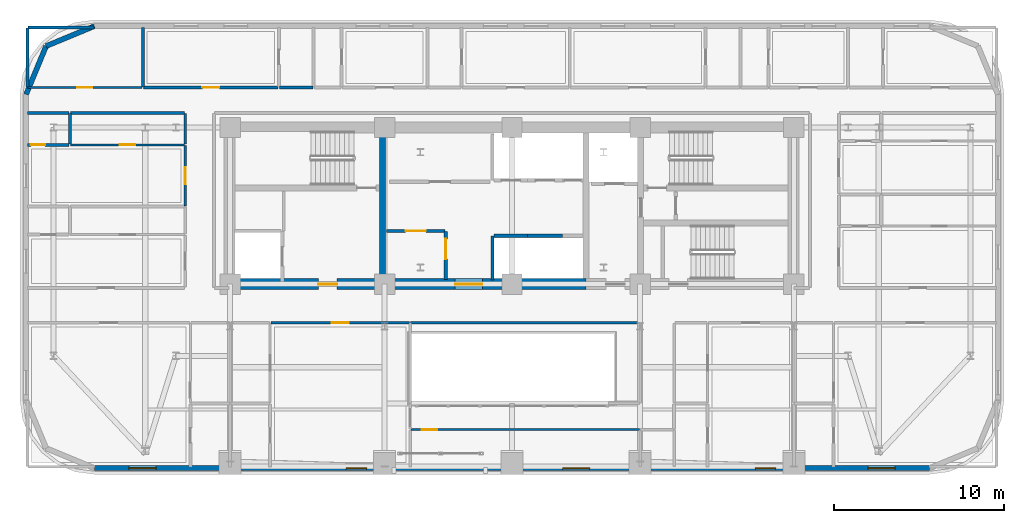
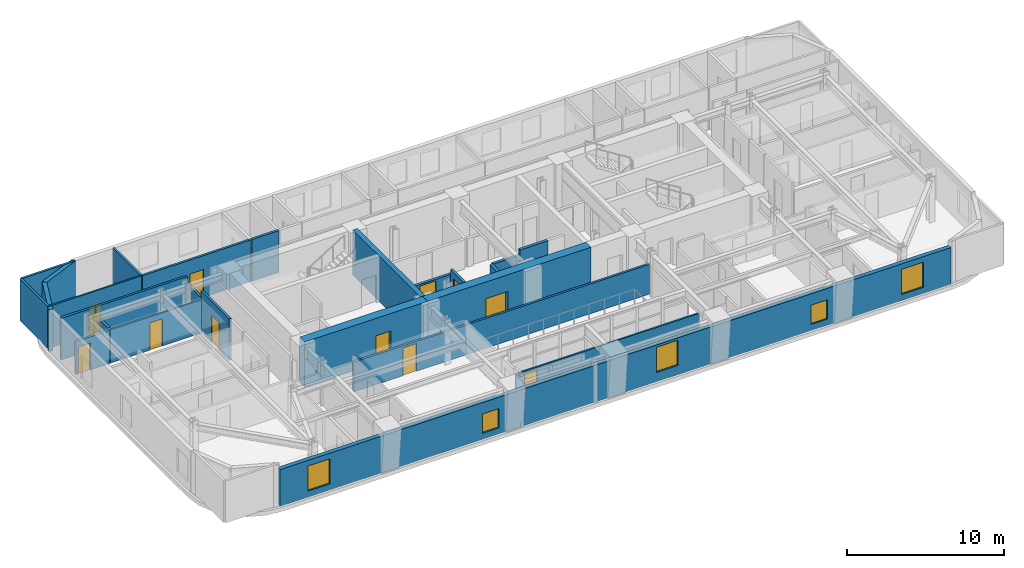
# One storey, part 9 of 16: 27 walls, 11 doors, 5 windows, 16 openings.
"""IFC4 building model written with IfcOpenShell, lengths in metres."""

from ifc_helpers import new_model, si_unit, direction, frame, frame_2d, origin, place, context, subcontext, project, spatial, rectangle, extrude, material, layer, layer_set, type_object, element, fill, save


model = new_model("IFC4")

# Units and contexts
model_context = context("Model", 3, precision=1e-05, world=origin(), true_north=direction((0.0, 1.0)))
body_context = subcontext(model_context, "Body", "Model", "MODEL_VIEW")
ifc_project = project(units=[si_unit("LENGTHUNIT", "METRE"), si_unit("AREAUNIT", "SQUARE_METRE"), si_unit("VOLUMEUNIT", "CUBIC_METRE"), si_unit("PLANEANGLEUNIT", "RADIAN"), si_unit("MASSUNIT", "GRAM", prefix="KILO")], contexts=[model_context])

# Site, building, storey
site_placement = place(None, origin())
site = spatial("IfcSite", under=ifc_project, at=site_placement, CompositionType="ELEMENT")
building_placement = place(site_placement, origin())
building = spatial("IfcBuilding", under=site, at=building_placement, Name="Zarnavel Station Tower", CompositionType="ELEMENT")
storey_placement = place(building_placement, frame((0.0, 0.0, 97.800048828125)))
storey = spatial("IfcBuildingStorey", under=building, at=storey_placement, Name="L26", CompositionType="ELEMENT", Elevation=97.800048828125)

# Wall
ifc_material_1 = material(Name="Concrete C50/60", Category="concrete")
ifc_layer_1 = layer(ifc_material_1, 0.35009765625)
ifc_layer_set_1 = layer_set([ifc_layer_1], Name="CW_350")
wall_type_1 = type_object("IfcWallType", Name="CW_350", PredefinedType="SHEAR", material=ifc_layer_set_1)
wall_1_placement = place(storey_placement, frame((21.179931640625, 28.14501953125, 0.0), z_axis=(0.0, 0.0, 1.0), x_axis=(0.0, 1.0, 0.0)))
element("IfcWall", 1, at=wall_1_placement, inside=storey, type_object=wall_type_1, Name="L26 Rear Core Shear Wall DIV-W", PredefinedType="SHEAR", context=body_context, shape_type="SweptSolid", body=[
    extrude(rectangle(XDim=8.580078125, YDim=0.35009765625, at=frame_2d((4.2900390625, 0.0))), origin(), (0.0, 0.0, 1.0), 3.5),
])

# Wall, opening, door
ifc_material_2 = material(Name="Concrete C60/75", Category="concrete")
ifc_layer_2 = layer(ifc_material_2, 0.64990234375)
ifc_layer_set_2 = layer_set([ifc_layer_2], Name="CW_650")
wall_type_2 = type_object("IfcWallType", Name="CW_650", PredefinedType="SHEAR", material=ifc_layer_set_2)
wall_2_placement = place(storey_placement, frame((21.179931640625, 27.820068359375, 0.0), z_axis=(0.0, 0.0, 1.0), x_axis=(-1.0, 0.0, 0.0)))
wall_2 = element("IfcWall", 2, at=wall_2_placement, inside=storey, type_object=wall_type_2, Name="L26 Rear Core Shear Wall S-W", PredefinedType="SHEAR", context=body_context, shape_type="SweptSolid", body=[
    extrude(rectangle(XDim=9.030029296875, YDim=0.64990234375, at=frame_2d((4.51513671875, 0.0))), origin(), (0.0, 0.0, 1.0), 3.5),
])
opening_1_placement = place(wall_2_placement, frame((2.679931640625, 0.0, 0.0)))
opening_1 = element("IfcOpeningElement", 3, at=opening_1_placement, cuts=wall_2, Name="Opening FD01", PredefinedType="OPENING", context=body_context, shape_type="SweptSolid", body=[
    extrude(rectangle(XDim=1.10009765625, YDim=2.14990234375, at=frame_2d((0.550048828125, 1.074951171875))), frame((0.0, 0.3349609375, 0.0), z_axis=(0.0, -1.0, 0.0), x_axis=(1.0, 0.0, 0.0)), (0.0, 0.0, 1.0), 0.669921875),
])
ifc_material_3 = material(Name="Painted Galvanised Steel and Hardwood Leaf", Category="steel")
door_type_1 = type_object("IfcDoorType", Name="ID_STAIR_1100", OperationType="NOTDEFINED", PredefinedType="DOOR", material=ifc_material_3)
door_1_placement = place(opening_1_placement, origin())
door_1 = element("IfcDoor", 4, at=door_1_placement, inside=storey, type_object=door_type_1, Name="L26 West Firefighting Lobby Door", OperationType="SINGLE_SWING_RIGHT", OverallHeight=2.14990234375, OverallWidth=1.10009765625, PredefinedType="DOOR", context=body_context, shape_type="SweptSolid", body=[
    extrude(rectangle(XDim=1.10009765625, YDim=2.14990234375, at=frame_2d((0.550048828125, 1.074951171875))), frame((0.0, 0.02490234375, 0.0), z_axis=(0.0, -1.0, 0.0), x_axis=(1.0, 0.0, 0.0)), (0.0, 0.0, 1.0), 0.050048828125),
])
fill(opening_1, door_1)

wall_3_placement = place(storey_placement, frame((33.14990234375, 27.820068359375, 0.0), z_axis=(0.0, 0.0, 1.0), x_axis=(-1.0, 0.0, 0.0)))
wall_3 = element("IfcWall", 5, at=wall_3_placement, inside=storey, type_object=wall_type_2, Name="L26 Rear Core Shear Wall S-M", PredefinedType="SHEAR", context=body_context, shape_type="SweptSolid", body=[
    extrude(rectangle(XDim=11.969970703125, YDim=0.64990234375, at=frame_2d((5.98486328125, 0.0))), origin(), (0.0, 0.0, 1.0), 3.5),
])
opening_2_placement = place(wall_3_placement, frame((6.10009765625, 0.0, 0.0)))
opening_2 = element("IfcOpeningElement", 6, at=opening_2_placement, cuts=wall_3, Name="Opening ID03", PredefinedType="OPENING", context=body_context, shape_type="SweptSolid", body=[
    extrude(rectangle(XDim=1.60009765625, YDim=2.199951171875, at=frame_2d((0.800048828125, 1.10009765625))), frame((0.0, 0.3349609375, 0.0), z_axis=(0.0, -1.0, 0.0), x_axis=(1.0, 0.0, 0.0)), (0.0, 0.0, 1.0), 0.669921875),
])
ifc_material_4 = material(Name="Painted Galvanised Steel and Hardwood Leaf", Category="steel")
door_type_2 = type_object("IfcDoorType", Name="ID_PUBLIC_1600", OperationType="DOUBLE_DOOR_SINGLE_SWING", PredefinedType="DOOR", material=ifc_material_4)
door_2_placement = place(opening_2_placement, origin())
door_2 = element("IfcDoor", 7, at=door_2_placement, inside=storey, type_object=door_type_2, Name="L26 Passenger Lift Lobby Double Door", OperationType="SINGLE_SWING_LEFT", OverallHeight=2.199951171875, OverallWidth=1.60009765625, PredefinedType="DOOR", context=body_context, shape_type="SweptSolid", body=[
    extrude(rectangle(XDim=1.60009765625, YDim=2.199951171875, at=frame_2d((0.800048828125, 1.10009765625))), frame((0.0, 0.02490234375, 0.0), z_axis=(0.0, -1.0, 0.0), x_axis=(1.0, 0.0, 0.0)), (0.0, 0.0, 1.0), 0.050048828125),
])
fill(opening_2, door_2)

# Walls
ifc_material_5 = material(Name="Precast concrete C45/55 (Dark Basalt Finish)", Category="masonry")
ifc_layer_3 = layer(ifc_material_5, 0.300048828125)
ifc_layer_set_3 = layer_set([ifc_layer_3], Name="EW_BASALT_300")
wall_type_3 = type_object("IfcWallType", Name="EW_BASALT_300", PredefinedType="SOLIDWALL", material=ifc_layer_set_3)
for number, where, z_axis, x_axis, name in (
    (8, (1.357421875, 41.842529296875, 0.0), (0.0, 0.0, 1.0), (0.923870793506, 0.382704529509, 0.0), "L26 Exterior Basalt Masonry Frame Wall 07"),
    (9, (0.179931640625, 39.0, 0.0), (0.0, 0.0, 1.0), (0.382704529509, 0.923870793506, 0.0), "L26 Exterior Basalt Masonry Frame Wall 08"),
):
    element("IfcWall", number, at=place(storey_placement, frame(where, z_axis=z_axis, x_axis=x_axis)), inside=storey, type_object=wall_type_3, Name=name, PredefinedType="SOLIDWALL", context=body_context, shape_type="SweptSolid", body=[
        extrude(rectangle(XDim=3.07666015625, YDim=0.300048828125, at=frame_2d((1.538330078125, 0.0))), origin(), (0.0, 0.0, 1.0), 3.239990234375),
    ])

# Wall, openings, windows
wall_4_placement = place(storey_placement, frame((53.39990234375, 16.97998046875, 0.0), z_axis=(0.0, 0.0, 1.0), x_axis=(-1.0, 0.0, 0.0)))
wall_4 = element("IfcWall", 10, at=wall_4_placement, inside=storey, type_object=wall_type_3, Name="L26 Exterior Basalt Masonry Frame Wall 12", PredefinedType="SOLIDWALL", context=body_context, shape_type="SweptSolid", body=[
    extrude(rectangle(XDim=49.199951171875, YDim=0.300048828125, at=frame_2d((24.60009765625, 0.0))), origin(), (0.0, 0.0, 1.0), 2.85986328125),
])
opening_3_placement = place(wall_4_placement, frame((45.56494140625, 0.0, 0.47998046875)))
opening_3 = element("IfcOpeningElement", 11, at=opening_3_placement, cuts=wall_4, Name="Opening WN06", PredefinedType="OPENING", context=body_context, shape_type="SweptSolid", body=[
    extrude(rectangle(XDim=1.60009765625, YDim=1.949951171875, at=frame_2d((0.800048828125, 0.97509765625))), frame((0.0, 0.159912109375, 0.0), z_axis=(0.0, -1.0, 0.0), x_axis=(1.0, 0.0, 0.0)), (0.0, 0.0, 1.0), 0.320068359375),
])
opening_4_placement = place(wall_4_placement, frame((33.1650390625, 0.0, 0.47998046875)))
opening_4 = element("IfcOpeningElement", 12, at=opening_4_placement, cuts=wall_4, Name="Opening WN08", PredefinedType="OPENING", context=body_context, shape_type="SweptSolid", body=[
    extrude(rectangle(XDim=1.199951171875, YDim=1.5, at=frame_2d((0.60009765625, 0.75))), frame((0.0, 0.159912109375, 0.0), z_axis=(0.0, -1.0, 0.0), x_axis=(1.0, 0.0, 0.0)), (0.0, 0.0, 1.0), 0.320068359375),
])
opening_5_placement = place(wall_4_placement, frame((20.02490234375, 0.0, 0.72998046875)))
opening_5 = element("IfcOpeningElement", 13, at=opening_5_placement, cuts=wall_4, Name="Opening WN06", PredefinedType="OPENING", context=body_context, shape_type="SweptSolid", body=[
    extrude(rectangle(XDim=1.60009765625, YDim=1.949951171875, at=frame_2d((0.800048828125, 0.97509765625))), frame((0.0, 0.159912109375, 0.0), z_axis=(0.0, -1.0, 0.0), x_axis=(1.0, 0.0, 0.0)), (0.0, 0.0, 1.0), 0.320068359375),
])
opening_6_placement = place(wall_4_placement, frame((9.06494140625, 0.0, 0.47998046875)))
opening_6 = element("IfcOpeningElement", 14, at=opening_6_placement, cuts=wall_4, Name="Opening WN08", PredefinedType="OPENING", context=body_context, shape_type="SweptSolid", body=[
    extrude(rectangle(XDim=1.199951171875, YDim=1.5, at=frame_2d((0.60009765625, 0.75))), frame((0.0, 0.159912109375, 0.0), z_axis=(0.0, -1.0, 0.0), x_axis=(1.0, 0.0, 0.0)), (0.0, 0.0, 1.0), 0.320068359375),
])
opening_7_placement = place(wall_4_placement, frame((2.034912109375, 0.0, 0.47998046875)))
opening_7 = element("IfcOpeningElement", 15, at=opening_7_placement, cuts=wall_4, Name="Opening WN06", PredefinedType="OPENING", context=body_context, shape_type="SweptSolid", body=[
    extrude(rectangle(XDim=1.60009765625, YDim=1.949951171875, at=frame_2d((0.800048828125, 0.97509765625))), frame((0.0, 0.159912109375, 0.0), z_axis=(0.0, -1.0, 0.0), x_axis=(1.0, 0.0, 0.0)), (0.0, 0.0, 1.0), 0.320068359375),
])
ifc_material_6 = material(Name="Thermally Broken Black Aluminium and Low-E Dark Glass", Category="aluminium")
window_type_1 = type_object("IfcWindowType", Name="WN_1200x1500", PartitioningType="SINGLE_PANEL", PredefinedType="WINDOW", material=ifc_material_6)
window_1_placement = place(opening_4_placement, origin())
window_1 = element("IfcWindow", 16, at=window_1_placement, inside=storey, type_object=window_type_1, Name="L26 Recessed Facade Window 02", OverallHeight=1.5, OverallWidth=1.199951171875, PartitioningType="SINGLE_PANEL", PredefinedType="WINDOW", context=body_context, shape_type="SweptSolid", body=[
    extrude(rectangle(XDim=1.199951171875, YDim=1.5, at=frame_2d((0.60009765625, 0.75))), frame((0.0, 0.030029296875, 0.0), z_axis=(0.0, -1.0, 0.0), x_axis=(1.0, 0.0, 0.0)), (0.0, 0.0, 1.0), 0.06005859375),
])
fill(opening_4, window_1)
window_2_placement = place(opening_6_placement, origin())
window_2 = element("IfcWindow", 17, at=window_2_placement, inside=storey, type_object=window_type_1, Name="L26 Recessed Facade Window 04", OverallHeight=1.5, OverallWidth=1.199951171875, PartitioningType="SINGLE_PANEL", PredefinedType="WINDOW", context=body_context, shape_type="SweptSolid", body=[
    extrude(rectangle(XDim=1.199951171875, YDim=1.5, at=frame_2d((0.60009765625, 0.75))), frame((0.0, 0.030029296875, 0.0), z_axis=(0.0, -1.0, 0.0), x_axis=(1.0, 0.0, 0.0)), (0.0, 0.0, 1.0), 0.06005859375),
])
fill(opening_6, window_2)
ifc_material_7 = material(Name="Thermally Broken Black Aluminium and Low-E Dark Glass", Category="aluminium")
window_type_2 = type_object("IfcWindowType", Name="WN_1600x1950", PartitioningType="DOUBLE_PANEL_VERTICAL", PredefinedType="WINDOW", material=ifc_material_7)
window_3_placement = place(opening_3_placement, origin())
window_3 = element("IfcWindow", 18, at=window_3_placement, inside=storey, type_object=window_type_2, Name="L26 Recessed Facade Window 01", OverallHeight=1.949951171875, OverallWidth=1.60009765625, PartitioningType="SINGLE_PANEL", PredefinedType="WINDOW", context=body_context, shape_type="SweptSolid", body=[
    extrude(rectangle(XDim=1.60009765625, YDim=1.949951171875, at=frame_2d((0.800048828125, 0.97509765625))), frame((0.0, 0.030029296875, 0.0), z_axis=(0.0, -1.0, 0.0), x_axis=(1.0, 0.0, 0.0)), (0.0, 0.0, 1.0), 0.06005859375),
])
fill(opening_3, window_3)
window_4_placement = place(opening_5_placement, origin())
window_4 = element("IfcWindow", 19, at=window_4_placement, inside=storey, type_object=window_type_2, Name="L26 Recessed Facade Window 03", OverallHeight=1.949951171875, OverallWidth=1.60009765625, PartitioningType="SINGLE_PANEL", PredefinedType="WINDOW", context=body_context, shape_type="SweptSolid", body=[
    extrude(rectangle(XDim=1.60009765625, YDim=1.949951171875, at=frame_2d((0.800048828125, 0.97509765625))), frame((0.0, 0.030029296875, 0.0), z_axis=(0.0, -1.0, 0.0), x_axis=(1.0, 0.0, 0.0)), (0.0, 0.0, 1.0), 0.06005859375),
])
fill(opening_5, window_4)
window_5_placement = place(opening_7_placement, origin())
window_5 = element("IfcWindow", 20, at=window_5_placement, inside=storey, type_object=window_type_2, Name="L26 Recessed Facade Window 05", OverallHeight=1.949951171875, OverallWidth=1.60009765625, PartitioningType="SINGLE_PANEL", PredefinedType="WINDOW", context=body_context, shape_type="SweptSolid", body=[
    extrude(rectangle(XDim=1.60009765625, YDim=1.949951171875, at=frame_2d((0.800048828125, 0.97509765625))), frame((0.0, 0.030029296875, 0.0), z_axis=(0.0, -1.0, 0.0), x_axis=(1.0, 0.0, 0.0)), (0.0, 0.0, 1.0), 0.06005859375),
])
fill(opening_7, window_5)

# Wall, opening, door
ifc_material_8 = material(Name="Gypsum Twin-Stud Acoustic Fire Partition", Category="concrete")
ifc_layer_4 = layer(ifc_material_8, 0.159912109375)
ifc_layer_set_4 = layer_set([ifc_layer_4], Name="PT_DEMISE_160")
wall_type_4 = type_object("IfcWallType", Name="PT_DEMISE_160", PredefinedType="PARTITIONING", material=ifc_layer_set_4)
wall_5_placement = place(storey_placement, frame((14.590087890625, 25.550048828125, 0.0), z_axis=(0.0, 0.0, 1.0), x_axis=(1.0, 0.0, 0.0)))
wall_5 = element("IfcWall", 21, at=wall_5_placement, inside=storey, type_object=wall_type_4, Name="L26 Partition COR-S-HW2R", PredefinedType="PARTITIONING", context=body_context, shape_type="SweptSolid", body=[
    extrude(rectangle(XDim=8.169921875, YDim=0.159912109375, at=frame_2d((4.0849609375, 0.0))), origin(), (0.0, 0.0, 1.0), 2.31005859375),
])
opening_8_placement = place(wall_5_placement, frame((3.5849609375, 0.0, 0.0)))
opening_8 = element("IfcOpeningElement", 22, at=opening_8_placement, cuts=wall_5, Name="Opening FD02", PredefinedType="OPENING", context=body_context, shape_type="SweptSolid", body=[
    extrude(rectangle(XDim=1.0, YDim=2.14990234375, at=frame_2d((0.5, 1.074951171875))), frame((0.0, 0.08984375, 0.0), z_axis=(0.0, -1.0, 0.0), x_axis=(1.0, 0.0, 0.0)), (0.0, 0.0, 1.0), 0.179931640625),
])
ifc_material_9 = material(Name="Painted Galvanised Steel and Hardwood Leaf", Category="steel")
door_type_3 = type_object("IfcDoorType", Name="ID_ENTRY_1000", OperationType="NOTDEFINED", PredefinedType="DOOR", material=ifc_material_9)
door_3_placement = place(opening_8_placement, origin())
door_3 = element("IfcDoor", 23, at=door_3_placement, inside=storey, type_object=door_type_3, Name="L26 Door COR-S-HW2R", OperationType="SINGLE_SWING_LEFT", OverallHeight=2.14990234375, OverallWidth=1.0, PredefinedType="DOOR", context=body_context, shape_type="SweptSolid", body=[
    extrude(rectangle(XDim=1.0, YDim=2.14990234375, at=frame_2d((0.5, 1.074951171875))), frame((0.0, 0.02490234375, 0.0), z_axis=(0.0, -1.0, 0.0), x_axis=(1.0, 0.0, 0.0)), (0.0, 0.0, 1.0), 0.050048828125),
])
fill(opening_8, door_3)

wall_6_placement = place(storey_placement, frame((9.550048828125, 32.430908203125, 0.0), z_axis=(0.0, 0.0, 1.0), x_axis=(0.0, 1.0, 0.0)))
wall_6 = element("IfcWall", 24, at=wall_6_placement, inside=storey, type_object=wall_type_4, Name="L26 Partition COR-W-FNW2R", PredefinedType="PARTITIONING", context=body_context, shape_type="SweptSolid", body=[
    extrude(rectangle(XDim=3.55615234375, YDim=0.159912109375, at=frame_2d((1.778076171875, 0.0))), origin(), (0.0, 0.0, 1.0), 3.239990234375),
])
opening_9_placement = place(wall_6_placement, frame((1.278076171875, 0.0, 0.0)))
opening_9 = element("IfcOpeningElement", 25, at=opening_9_placement, cuts=wall_6, Name="Opening FD02", PredefinedType="OPENING", context=body_context, shape_type="SweptSolid", body=[
    extrude(rectangle(XDim=1.0, YDim=2.14990234375, at=frame_2d((0.5, 1.074951171875))), frame((0.0, 0.08984375, 0.0), z_axis=(0.0, -1.0, 0.0), x_axis=(1.0, 0.0, 0.0)), (0.0, 0.0, 1.0), 0.179931640625),
])
door_4_placement = place(opening_9_placement, origin())
door_4 = element("IfcDoor", 26, at=door_4_placement, inside=storey, type_object=door_type_3, Name="L26 Door COR-W-FNW2R", OperationType="SINGLE_SWING_LEFT", OverallHeight=2.14990234375, OverallWidth=1.0, PredefinedType="DOOR", context=body_context, shape_type="SweptSolid", body=[
    extrude(rectangle(XDim=1.0, YDim=2.14990234375, at=frame_2d((0.5, 1.074951171875))), frame((0.0, 0.02490234375, 0.0), z_axis=(0.0, -1.0, 0.0), x_axis=(1.0, 0.0, 0.0)), (0.0, 0.0, 1.0), 0.050048828125),
])
fill(opening_9, door_4)

# Walls
wall_7_placement = place(storey_placement, frame((9.550048828125, 36.06689453125, 0.0), z_axis=(0.0, 0.0, 1.0), x_axis=(0.0, 1.0, 0.0)))
element("IfcWall", 27, at=wall_7_placement, inside=storey, type_object=wall_type_4, Name="L26 Partition COR-W-FNW2S", PredefinedType="PARTITIONING", context=body_context, shape_type="SweptSolid", body=[
    extrude(rectangle(XDim=1.793212890625, YDim=0.159912109375, at=frame_2d((0.896484375, 0.0))), origin(), (0.0, 0.0, 1.0), 2.719970703125),
])
wall_8_placement = place(storey_placement, frame((2.800048828125, 37.89990234375, 0.0), z_axis=(0.0, 0.0, 1.0), x_axis=(1.0, 0.0, 0.0)))
element("IfcWall", 28, at=wall_8_placement, inside=storey, type_object=wall_type_4, Name="L26 Partition COR-N-FNW2S", PredefinedType="PARTITIONING", context=body_context, shape_type="SweptSolid", body=[
    extrude(rectangle(XDim=6.7099609375, YDim=0.159912109375, at=frame_2d((3.35498046875, 0.0))), origin(), (0.0, 0.0, 1.0), 3.239990234375),
])

# Wall, opening, door
wall_9_placement = place(storey_placement, frame((7.10009765625, 39.39990234375, 0.0), z_axis=(0.0, 0.0, 1.0), x_axis=(1.0, 0.0, 0.0)))
wall_9 = element("IfcWall", 29, at=wall_9_placement, inside=storey, type_object=wall_type_4, Name="L26 Partition COR-N-HN1R", PredefinedType="PARTITIONING", context=body_context, shape_type="SweptSolid", body=[
    extrude(rectangle(XDim=7.92578125, YDim=0.159912109375, at=frame_2d((3.962890625, 0.0))), origin(), (0.0, 0.0, 1.0), 3.239990234375),
])
opening_10_placement = place(wall_9_placement, frame((3.462890625, 0.0, 0.0)))
opening_10 = element("IfcOpeningElement", 30, at=opening_10_placement, cuts=wall_9, Name="Opening FD02", PredefinedType="OPENING", context=body_context, shape_type="SweptSolid", body=[
    extrude(rectangle(XDim=1.0, YDim=2.14990234375, at=frame_2d((0.5, 1.074951171875))), frame((0.0, 0.08984375, 0.0), z_axis=(0.0, -1.0, 0.0), x_axis=(1.0, 0.0, 0.0)), (0.0, 0.0, 1.0), 0.179931640625),
])
door_5_placement = place(opening_10_placement, origin())
door_5 = element("IfcDoor", 31, at=door_5_placement, inside=storey, type_object=door_type_3, Name="L26 Door COR-N-HN1R", OperationType="SINGLE_SWING_LEFT", OverallHeight=2.14990234375, OverallWidth=1.0, PredefinedType="DOOR", context=body_context, shape_type="SweptSolid", body=[
    extrude(rectangle(XDim=1.0, YDim=2.14990234375, at=frame_2d((0.5, 1.074951171875))), frame((0.0, 0.02490234375, 0.0), z_axis=(0.0, -1.0, 0.0), x_axis=(1.0, 0.0, 0.0)), (0.0, 0.0, 1.0), 0.050048828125),
])
fill(opening_10, door_5)

# Walls
wall_10_placement = place(storey_placement, frame((7.06005859375, 39.43994140625, 0.0), z_axis=(0.0, 0.0, 1.0), x_axis=(0.0, 1.0, 0.0)))
element("IfcWall", 32, at=wall_10_placement, inside=storey, type_object=wall_type_4, Name="L26 Partition HSKP-HN1R", PredefinedType="PARTITIONING", context=body_context, shape_type="SweptSolid", body=[
    extrude(rectangle(XDim=3.5, YDim=0.159912109375, at=frame_2d((1.75, 0.0))), origin(), (0.0, 0.0, 1.0), 3.239990234375),
])
wall_11_placement = place(storey_placement, frame((22.830078125, 25.550048828125, 0.0), z_axis=(0.0, 0.0, 1.0), x_axis=(1.0, 0.0, 0.0)))
element("IfcWall", 33, at=wall_11_placement, inside=storey, type_object=wall_type_4, Name="L26 Enclosure Wall COR-S", PredefinedType="PARTITIONING", context=body_context, shape_type="SweptSolid", body=[
    extrude(rectangle(XDim=13.489990234375, YDim=0.159912109375, at=frame_2d((6.7451171875, 0.0))), origin(), (0.0, 0.0, 1.0), 2.31005859375),
])
wall_12_placement = place(storey_placement, frame((0.2900390625, 42.93994140625, 0.0), z_axis=(0.0, 0.0, 1.0), x_axis=(1.0, 0.0, 0.0)))
element("IfcWall", 34, at=wall_12_placement, inside=storey, type_object=wall_type_4, Name="L26 Enclosure Wall HSKP", PredefinedType="PARTITIONING", context=body_context, shape_type="SweptSolid", body=[
    extrude(rectangle(XDim=3.8798828125, YDim=0.159912109375, at=frame_2d((1.93994140625, 0.0))), origin(), (0.0, 0.0, 1.0), 3.239990234375),
])
wall_13_placement = place(storey_placement, frame((0.260009765625, 39.429931640625, 0.0), z_axis=(0.0, 0.0, 1.0), x_axis=(0.0, 1.0, 0.0)))
element("IfcWall", 35, at=wall_13_placement, inside=storey, type_object=wall_type_4, Name="L26 Enclosure Wall HSKP", PredefinedType="PARTITIONING", context=body_context, shape_type="SweptSolid", body=[
    extrude(rectangle(XDim=3.47998046875, YDim=0.159912109375, at=frame_2d((1.739990234375, 0.0))), origin(), (0.0, 0.0, 1.0), 3.239990234375),
])

# Wall, opening, door
ifc_material_10 = material(Name="Gypsum Metal-Stud Interior Partition", Category="concrete")
ifc_layer_5 = layer(ifc_material_10, 0.1201171875)
ifc_layer_set_5 = layer_set([ifc_layer_5], Name="PT_ROOM_120")
wall_type_5 = type_object("IfcWallType", Name="PT_ROOM_120", PredefinedType="PARTITIONING", material=ifc_layer_set_5)
wall_14_placement = place(storey_placement, frame((0.260009765625, 39.39990234375, 0.0), z_axis=(0.0, 0.0, 1.0), x_axis=(1.0, 0.0, 0.0)))
wall_14 = element("IfcWall", 36, at=wall_14_placement, inside=storey, type_object=wall_type_5, Name="L26 Partition COR-N-HSKP", PredefinedType="PARTITIONING", context=body_context, shape_type="SweptSolid", body=[
    extrude(rectangle(XDim=6.760009765625, YDim=0.1201171875, at=frame_2d((3.3798828125, 0.0))), origin(), (0.0, 0.0, 1.0), 3.239990234375),
])
opening_11_placement = place(wall_14_placement, frame((2.929931640625, 0.0, 0.0)))
opening_11 = element("IfcOpeningElement", 37, at=opening_11_placement, cuts=wall_14, Name="Opening ID01", PredefinedType="OPENING", context=body_context, shape_type="SweptSolid", body=[
    extrude(rectangle(XDim=0.89990234375, YDim=2.10009765625, at=frame_2d((0.449951171875, 1.050048828125))), frame((0.0, 0.070068359375, 0.0), z_axis=(0.0, -1.0, 0.0), x_axis=(1.0, 0.0, 0.0)), (0.0, 0.0, 1.0), 0.14013671875),
])
ifc_material_11 = material(Name="Painted Galvanised Steel and Hardwood Leaf", Category="steel")
door_type_4 = type_object("IfcDoorType", Name="ID_ROOM_900", OperationType="NOTDEFINED", PredefinedType="DOOR", material=ifc_material_11)
door_6_placement = place(opening_11_placement, origin())
door_6 = element("IfcDoor", 38, at=door_6_placement, inside=storey, type_object=door_type_4, Name="L26 Door COR-N-HSKP", OperationType="SINGLE_SWING_RIGHT", OverallHeight=2.10009765625, OverallWidth=0.89990234375, PredefinedType="DOOR", context=body_context, shape_type="SweptSolid", body=[
    extrude(rectangle(XDim=0.89990234375, YDim=2.10009765625, at=frame_2d((0.449951171875, 1.050048828125))), frame((0.0, 0.02490234375, 0.0), z_axis=(0.0, -1.0, 0.0), x_axis=(1.0, 0.0, 0.0)), (0.0, 0.0, 1.0), 0.050048828125),
])
fill(opening_11, door_6)

wall_15_placement = place(storey_placement, frame((22.840087890625, 19.25, 0.0), z_axis=(0.0, 0.0, 1.0), x_axis=(1.0, 0.0, 0.0)))
wall_15 = element("IfcWall", 39, at=wall_15_placement, inside=storey, type_object=wall_type_5, Name="L26 Partition COR-AS-L25SAL", PredefinedType="PARTITIONING", context=body_context, shape_type="SweptSolid", body=[
    extrude(rectangle(XDim=13.469970703125, YDim=0.1201171875, at=frame_2d((6.73486328125, 0.0))), origin(), (0.0, 0.0, 1.0), 2.31005859375),
])
opening_12_placement = place(wall_15_placement, frame((0.652099609375, 0.0, 0.0)))
opening_12 = element("IfcOpeningElement", 40, at=opening_12_placement, cuts=wall_15, Name="Opening ID01", PredefinedType="OPENING", context=body_context, shape_type="SweptSolid", body=[
    extrude(rectangle(XDim=0.89990234375, YDim=2.10009765625, at=frame_2d((0.449951171875, 1.050048828125))), frame((0.0, 0.070068359375, 0.0), z_axis=(0.0, -1.0, 0.0), x_axis=(1.0, 0.0, 0.0)), (0.0, 0.0, 1.0), 0.14013671875),
])
door_7_placement = place(opening_12_placement, origin())
door_7 = element("IfcDoor", 41, at=door_7_placement, inside=storey, type_object=door_type_4, Name="L26 Door COR-AS-L25SAL", OperationType="SINGLE_SWING_RIGHT", OverallHeight=2.10009765625, OverallWidth=0.89990234375, PredefinedType="DOOR", context=body_context, shape_type="SweptSolid", body=[
    extrude(rectangle(XDim=0.89990234375, YDim=2.10009765625, at=frame_2d((0.449951171875, 1.050048828125))), frame((0.0, 0.02490234375, 0.0), z_axis=(0.0, -1.0, 0.0), x_axis=(1.0, 0.0, 0.0)), (0.0, 0.0, 1.0), 0.050048828125),
])
fill(opening_12, door_7)

wall_16_placement = place(storey_placement, frame((2.800048828125, 36.027099609375, 0.0), z_axis=(0.0, 0.0, 1.0), x_axis=(1.0, 0.0, 0.0)))
wall_16 = element("IfcWall", 42, at=wall_16_placement, inside=storey, type_object=wall_type_5, Name="L26 Partition FNW2R-FNW2S", PredefinedType="PARTITIONING", context=body_context, shape_type="SweptSolid", body=[
    extrude(rectangle(XDim=6.7099609375, YDim=0.1201171875, at=frame_2d((3.35498046875, 0.0))), origin(), (0.0, 0.0, 1.0), 2.570068359375),
])
opening_13_placement = place(wall_16_placement, frame((2.905029296875, 0.0, 0.0)))
opening_13 = element("IfcOpeningElement", 43, at=opening_13_placement, cuts=wall_16, Name="Opening ID01", PredefinedType="OPENING", context=body_context, shape_type="SweptSolid", body=[
    extrude(rectangle(XDim=0.89990234375, YDim=2.10009765625, at=frame_2d((0.449951171875, 1.050048828125))), frame((0.0, 0.070068359375, 0.0), z_axis=(0.0, -1.0, 0.0), x_axis=(1.0, 0.0, 0.0)), (0.0, 0.0, 1.0), 0.14013671875),
])
door_8_placement = place(opening_13_placement, origin())
door_8 = element("IfcDoor", 44, at=door_8_placement, inside=storey, type_object=door_type_4, Name="L26 Door FNW2R-FNW2S", OperationType="SINGLE_SWING_RIGHT", OverallHeight=2.10009765625, OverallWidth=0.89990234375, PredefinedType="DOOR", context=body_context, shape_type="SweptSolid", body=[
    extrude(rectangle(XDim=0.89990234375, YDim=2.10009765625, at=frame_2d((0.449951171875, 1.050048828125))), frame((0.0, 0.02490234375, 0.0), z_axis=(0.0, -1.0, 0.0), x_axis=(1.0, 0.0, 0.0)), (0.0, 0.0, 1.0), 0.050048828125),
])
fill(opening_13, door_8)

# Walls
ifc_material_12 = material(Name="Precast concrete C45/55 (Fire Shaft Blockwork)", Category="masonry")
ifc_layer_6 = layer(ifc_material_12, 0.199951171875)
ifc_layer_set_6 = layer_set([ifc_layer_6], Name="PT_SHAFT_200")
wall_type_6 = type_object("IfcWallType", Name="PT_SHAFT_200", PredefinedType="PARTITIONING", material=ifc_layer_set_6)
wall_17_placement = place(storey_placement, frame((27.75, 30.669921875, 0.0), z_axis=(0.0, 0.0, 1.0), x_axis=(1.0, 0.0, 0.0)))
element("IfcWall", 45, at=wall_17_placement, inside=storey, type_object=wall_type_6, Name="L26 Lift PL-H1 Shaft Front Wall", PredefinedType="PARTITIONING", context=body_context, shape_type="SweptSolid", body=[
    extrude(rectangle(XDim=1.97509765625, YDim=0.199951171875, at=frame_2d((0.987548828125, 0.0))), origin(), (0.0, 0.0, 1.0), 2.2119140625),
])
wall_18_placement = place(storey_placement, frame((27.64990234375, 28.070068359375, 0.0), z_axis=(0.0, 0.0, 1.0), x_axis=(0.0, 1.0, 0.0)))
element("IfcWall", 46, at=wall_18_placement, inside=storey, type_object=wall_type_6, Name="L26 High-Rise Lift Bank West Shaft Wall", PredefinedType="PARTITIONING", context=body_context, shape_type="SweptSolid", body=[
    extrude(rectangle(XDim=2.579833984375, YDim=0.199951171875, at=frame_2d((1.2900390625, 0.0))), origin(), (0.0, 0.0, 1.0), 2.2119140625),
])
wall_19_placement = place(storey_placement, frame((29.72509765625, 30.669921875, 0.0), z_axis=(0.0, 0.0, 1.0), x_axis=(1.0, 0.0, 0.0)))
element("IfcWall", 47, at=wall_19_placement, inside=storey, type_object=wall_type_6, Name="L26 Lift PL-H2 Shaft Front Wall", PredefinedType="PARTITIONING", context=body_context, shape_type="SweptSolid", body=[
    extrude(rectangle(XDim=2.0498046875, YDim=0.199951171875, at=frame_2d((1.02490234375, 0.0))), origin(), (0.0, 0.0, 1.0), 2.619873046875),
])

# Wall, opening, door
wall_20_placement = place(storey_placement, frame((21.39990234375, 30.949951171875, 0.0), z_axis=(0.0, 0.0, 1.0), x_axis=(1.0, 0.0, 0.0)))
wall_20 = element("IfcWall", 48, at=wall_20_placement, inside=storey, type_object=wall_type_6, Name="L26 Partition LLOB-CS1", PredefinedType="PARTITIONING", context=body_context, shape_type="SweptSolid", body=[
    extrude(rectangle(XDim=3.460205078125, YDim=0.199951171875, at=frame_2d((1.72998046875, 0.0))), origin(), (0.0, 0.0, 1.0), 2.280029296875),
])
opening_14_placement = place(wall_20_placement, frame((1.1298828125, 0.0, 0.0)))
opening_14 = element("IfcOpeningElement", 49, at=opening_14_placement, cuts=wall_20, Name="Opening FD03", PredefinedType="OPENING", context=body_context, shape_type="SweptSolid", body=[
    extrude(rectangle(XDim=1.199951171875, YDim=2.14990234375, at=frame_2d((0.60009765625, 1.074951171875))), frame((0.0, 0.10986328125, 0.0), z_axis=(0.0, -1.0, 0.0), x_axis=(1.0, 0.0, 0.0)), (0.0, 0.0, 1.0), 0.219970703125),
])
ifc_material_13 = material(Name="Painted Galvanised Steel and Hardwood Leaf", Category="steel")
door_type_5 = type_object("IfcDoorType", Name="ID_PLANT_1200", OperationType="NOTDEFINED", PredefinedType="DOOR", material=ifc_material_13)
door_9_placement = place(opening_14_placement, origin())
door_9 = element("IfcDoor", 50, at=door_9_placement, inside=storey, type_object=door_type_5, Name="L26 Door LLOB-CS1", OperationType="SINGLE_SWING_LEFT", OverallHeight=2.14990234375, OverallWidth=1.199951171875, PredefinedType="DOOR", context=body_context, shape_type="SweptSolid", body=[
    extrude(rectangle(XDim=1.199951171875, YDim=2.14990234375, at=frame_2d((0.60009765625, 1.074951171875))), frame((0.0, 0.02490234375, 0.0), z_axis=(0.0, -1.0, 0.0), x_axis=(1.0, 0.0, 0.0)), (0.0, 0.0, 1.0), 0.050048828125),
])
fill(opening_14, door_9)

wall_21_placement = place(storey_placement, frame((24.89990234375, 30.909912109375, 0.0), z_axis=(0.0, 0.0, 1.0), x_axis=(0.0, -1.0, 0.0)))
wall_21 = element("IfcWall", 51, at=wall_21_placement, inside=storey, type_object=wall_type_6, Name="L26 Partition LLOBS-CS1", PredefinedType="PARTITIONING", context=body_context, shape_type="SweptSolid", body=[
    extrude(rectangle(XDim=2.81982421875, YDim=0.199951171875, at=frame_2d((1.409912109375, 0.0))), origin(), (0.0, 0.0, 1.0), 2.619873046875),
])
opening_15_placement = place(wall_21_placement, frame((0.419189453125, 0.0, 0.0)))
opening_15 = element("IfcOpeningElement", 52, at=opening_15_placement, cuts=wall_21, Name="Opening FD03", PredefinedType="OPENING", context=body_context, shape_type="SweptSolid", body=[
    extrude(rectangle(XDim=1.199951171875, YDim=2.14990234375, at=frame_2d((0.60009765625, 1.074951171875))), frame((0.0, 0.10986328125, 0.0), z_axis=(0.0, -1.0, 0.0), x_axis=(1.0, 0.0, 0.0)), (0.0, 0.0, 1.0), 0.219970703125),
])
door_10_placement = place(opening_15_placement, origin())
door_10 = element("IfcDoor", 53, at=door_10_placement, inside=storey, type_object=door_type_5, Name="L26 Door LLOBS-CS1", OperationType="SINGLE_SWING_LEFT", OverallHeight=2.14990234375, OverallWidth=1.199951171875, PredefinedType="DOOR", context=body_context, shape_type="SweptSolid", body=[
    extrude(rectangle(XDim=1.199951171875, YDim=2.14990234375, at=frame_2d((0.60009765625, 1.074951171875))), frame((0.0, 0.02490234375, 0.0), z_axis=(0.0, -1.0, 0.0), x_axis=(1.0, 0.0, 0.0)), (0.0, 0.0, 1.0), 0.050048828125),
])
fill(opening_15, door_10)

# Walls
ifc_material_14 = material(Name="Moisture-Resistant Plumbing Chase Wall", Category="concrete")
ifc_layer_7 = layer(ifc_material_14, 0.179931640625)
ifc_layer_set_7 = layer_set([ifc_layer_7], Name="PW_PLUMB_180")
wall_type_7 = type_object("IfcWallType", Name="PW_PLUMB_180", PredefinedType="PLUMBINGWALL", material=ifc_layer_set_7)
wall_22_placement = place(storey_placement, frame((0.260009765625, 37.89990234375, 0.0), z_axis=(0.0, 0.0, 1.0), x_axis=(1.0, 0.0, 0.0)))
element("IfcWall", 54, at=wall_22_placement, inside=storey, type_object=wall_type_7, Name="L26 Partition COR-N-FNW2B", PredefinedType="PLUMBINGWALL", context=body_context, shape_type="SweptSolid", body=[
    extrude(rectangle(XDim=2.4599609375, YDim=0.179931640625, at=frame_2d((1.22998046875, 0.0))), origin(), (0.0, 0.0, 1.0), 3.239990234375),
])
wall_23_placement = place(storey_placement, frame((15.10595703125, 39.39990234375, 0.0), z_axis=(0.0, 0.0, 1.0), x_axis=(1.0, 0.0, 0.0)))
element("IfcWall", 55, at=wall_23_placement, inside=storey, type_object=wall_type_7, Name="L26 Partition COR-N-HN1B", PredefinedType="PLUMBINGWALL", context=body_context, shape_type="SweptSolid", body=[
    extrude(rectangle(XDim=1.969970703125, YDim=0.179931640625, at=frame_2d((0.98486328125, 0.0))), origin(), (0.0, 0.0, 1.0), 3.239990234375),
])

# Wall, opening, door
wall_24_placement = place(storey_placement, frame((0.260009765625, 36.027099609375, 0.0), z_axis=(0.0, 0.0, 1.0), x_axis=(1.0, 0.0, 0.0)))
wall_24 = element("IfcWall", 56, at=wall_24_placement, inside=storey, type_object=wall_type_7, Name="L26 Partition FNW2R-FNW2B", PredefinedType="PLUMBINGWALL", context=body_context, shape_type="SweptSolid", body=[
    extrude(rectangle(XDim=2.4599609375, YDim=0.179931640625, at=frame_2d((1.22998046875, 0.0))), origin(), (0.0, 0.0, 1.0), 2.570068359375),
])
opening_16_placement = place(wall_24_placement, frame((0.1953125, 0.0, 0.0)))
opening_16 = element("IfcOpeningElement", 57, at=opening_16_placement, cuts=wall_24, Name="Opening ID02", PredefinedType="OPENING", context=body_context, shape_type="SweptSolid", body=[
    extrude(rectangle(XDim=0.85009765625, YDim=2.10009765625, at=frame_2d((0.425048828125, 1.050048828125))), frame((0.0, 0.099853515625, 0.0), z_axis=(0.0, -1.0, 0.0), x_axis=(1.0, 0.0, 0.0)), (0.0, 0.0, 1.0), 0.199951171875),
])
ifc_material_15 = material(Name="Painted Galvanised Steel and Hardwood Leaf", Category="steel")
door_type_6 = type_object("IfcDoorType", Name="ID_BATH_850", OperationType="NOTDEFINED", PredefinedType="DOOR", material=ifc_material_15)
door_11_placement = place(opening_16_placement, origin())
door_11 = element("IfcDoor", 58, at=door_11_placement, inside=storey, type_object=door_type_6, Name="L26 Door FNW2R-FNW2B", OperationType="SINGLE_SWING_LEFT", OverallHeight=2.10009765625, OverallWidth=0.85009765625, PredefinedType="DOOR", context=body_context, shape_type="SweptSolid", body=[
    extrude(rectangle(XDim=0.85009765625, YDim=2.10009765625, at=frame_2d((0.425048828125, 1.050048828125))), frame((0.0, 0.02490234375, 0.0), z_axis=(0.0, -1.0, 0.0), x_axis=(1.0, 0.0, 0.0)), (0.0, 0.0, 1.0), 0.050048828125),
])
fill(opening_16, door_11)

# Wall
wall_25_placement = place(storey_placement, frame((2.760009765625, 36.06689453125, 0.0), z_axis=(0.0, 0.0, 1.0), x_axis=(0.0, 1.0, 0.0)))
element("IfcWall", 59, at=wall_25_placement, inside=storey, type_object=wall_type_7, Name="L26 Partition FNW2B-FNW2S", PredefinedType="PLUMBINGWALL", context=body_context, shape_type="SweptSolid", body=[
    extrude(rectangle(XDim=1.793212890625, YDim=0.179931640625, at=frame_2d((0.896484375, 0.0))), origin(), (0.0, 0.0, 1.0), 2.719970703125),
])

save(model, "model.ifc")
